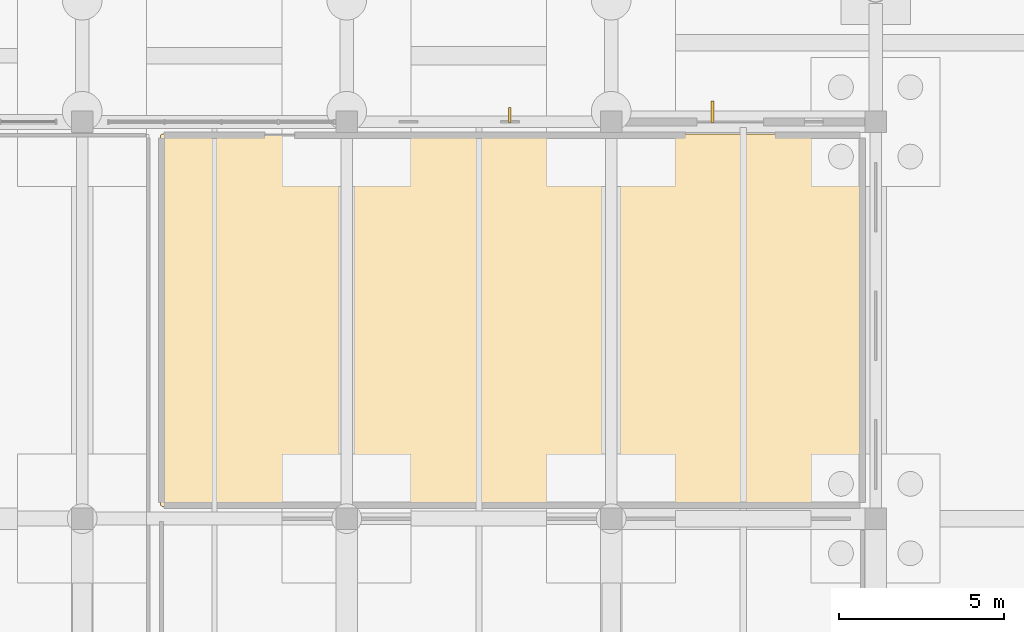
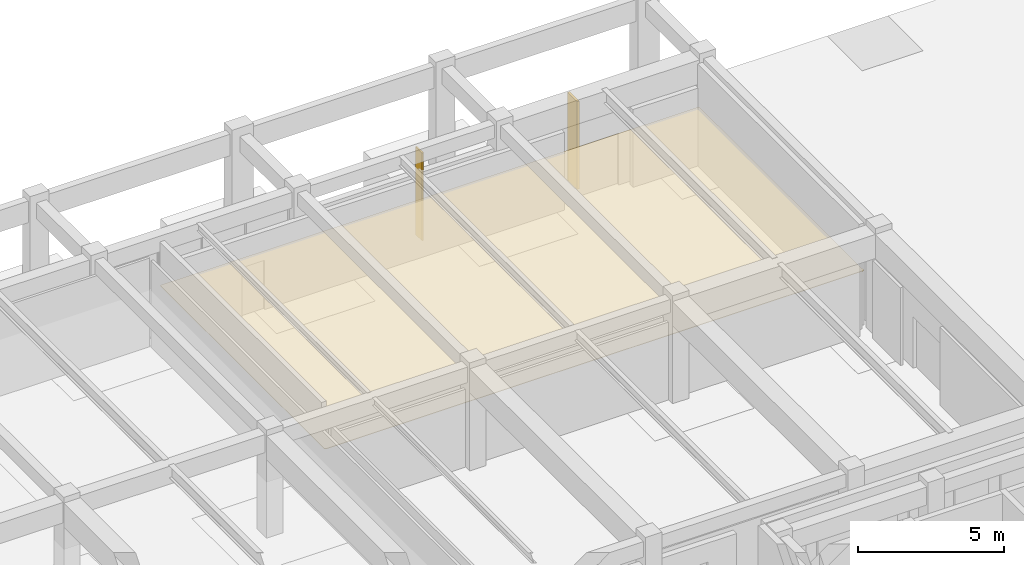
# One storey, part 76 of 84: 2 shading devices, 1 covering.
"""IFC4 building model written with IfcOpenShell, lengths in metres."""

import ifcopenshell
import ifcopenshell.guid

model = None  # the IFC model being written
_history = None  # IfcOwnerHistory: only IFC2X3 demands one
_inside = {}  # id of a spatial element -> (the spatial element, [elements in it])
_under = {}  # id of a project, library or spatial element -> (it, [spatial elements below it])
_declared = {}  # id of a project -> (the project, [libraries it declares])
_typed = {}  # id of a type object -> (the type object, [elements of that type])
_made_of = {}  # id of a material, layer set ... -> (it, [elements and type objects made of it])


def new_model(schema):
    """Start an empty IFC model of exactly this schema.

    Asked for "IFC4X3", IfcOpenShell would pick the latest addendum, in which some entities
    have other attributes; the version numbers below select the first issue.
    IFC2X3 requires an IfcOwnerHistory on every rooted entity: one is made here for all.
    """
    global model, _history
    if schema == "IFC4X3":
        model = ifcopenshell.file(schema_version=(4, 3, 0, 0))
    else:
        model = ifcopenshell.file(schema=schema)
    _inside.clear()
    _under.clear()
    _declared.clear()
    _typed.clear()
    _made_of.clear()
    _history = None
    if model.schema == "IFC2X3":
        org = make("IfcOrganization", Name="unknown")
        user = make(
            "IfcPersonAndOrganization",
            ThePerson=make("IfcPerson", FamilyName="unknown"),
            TheOrganization=org,
        )
        app = make(
            "IfcApplication",
            ApplicationDeveloper=org,
            Version="unknown",
            ApplicationFullName="unknown",
            ApplicationIdentifier="unknown",
        )
        _history = make(
            "IfcOwnerHistory",
            OwningUser=user,
            OwningApplication=app,
            ChangeAction="ADDED",
            CreationDate=0,
        )
    return model


def make(cls, **values):
    """One entity of the class cls with the attributes given. An attribute that is None is left unset."""
    return model.create_entity(
        cls, **{name: value for name, value in values.items() if value is not None}
    )


def rooted(cls, **values):
    """An entity with a GlobalId (a new one), such as an element, a storey or a relation."""
    return make(cls, GlobalId=ifcopenshell.guid.new(), OwnerHistory=_history, **values)


def si_unit(unit_type, name, prefix=None):
    """IfcSIUnit, for example si_unit("LENGTHUNIT", "METRE", prefix="MILLI")."""
    return make("IfcSIUnit", UnitType=unit_type, Prefix=prefix, Name=name)


def assignment(units):
    """IfcUnitAssignment: the units of a project."""
    return None if units is None else make("IfcUnitAssignment", Units=units)


def point(xyz):
    """IfcCartesianPoint."""
    return None if xyz is None else make("IfcCartesianPoint", Coordinates=xyz)


def direction(xyz):
    """IfcDirection."""
    return None if xyz is None else make("IfcDirection", DirectionRatios=xyz)


def frame(location, z_axis=None, x_axis=None):
    """IfcAxis2Placement3D, a coordinate frame: its origin and axes. An axis left out is left unset."""
    return make(
        "IfcAxis2Placement3D",
        Location=point(location),
        Axis=direction(z_axis),
        RefDirection=direction(x_axis),
    )


def frame_2d(location, x_axis=None):
    """IfcAxis2Placement2D, a coordinate frame in the plane: its origin and x axis."""
    return make(
        "IfcAxis2Placement2D", Location=point(location), RefDirection=direction(x_axis)
    )


def origin():
    """The frame at (0, 0, 0) with its axes left unset."""
    return frame((0.0, 0.0, 0.0))


def origin_2d():
    """The frame at (0, 0) in the plane with its x axis left unset."""
    return frame_2d((0.0, 0.0))


def place(relative_to, where):
    """IfcLocalPlacement: puts the frame where relative to a parent placement (None: the world)."""
    return make(
        "IfcLocalPlacement", PlacementRelTo=relative_to, RelativePlacement=where
    )


def context(
    kind, dimensions, precision=None, world=None, true_north=None, identifier=None
):
    """IfcGeometricRepresentationContext, for example the 3D "Model" context."""
    return make(
        "IfcGeometricRepresentationContext",
        ContextIdentifier=identifier,
        ContextType=kind,
        CoordinateSpaceDimension=dimensions,
        Precision=precision,
        WorldCoordinateSystem=world,
        TrueNorth=true_north,
    )


def subcontext(parent, identifier, kind, view, scale=None):
    """IfcGeometricRepresentationSubContext, for example "Body" below "Model"."""
    return make(
        "IfcGeometricRepresentationSubContext",
        ContextIdentifier=identifier,
        ContextType=kind,
        ParentContext=parent,
        TargetScale=scale,
        TargetView=view,
    )


def project(units=None, contexts=None):
    """IfcProject with its units and contexts."""
    return rooted(
        "IfcProject",
        Name="project",
        RepresentationContexts=contexts,
        UnitsInContext=assignment(units),
    )


def spatial(cls, under=None, at=None, **own):
    """A site, building, storey or space (cls), placed at a placement, below another one or the project."""
    s = rooted(cls, ObjectPlacement=at, **own)
    if under is not None:
        _under.setdefault(under.id(), (under, []))[1].append(s)
    return s


def polyline(points):
    """IfcPolyline through the points."""
    return make("IfcPolyline", Points=[point(p) for p in points])


def profile(cls, at=None, kind="AREA", **sizes):
    """A parametric profile (cls). Its sizes go by their IFC names, for example OverallWidth=200.0."""
    return make(cls, ProfileType=kind, Position=at, **sizes)


def rectangle(**sizes):
    """IfcRectangleProfileDef."""
    return profile("IfcRectangleProfileDef", **sizes)


def outline(outer, holes=None, kind="AREA"):
    """IfcArbitraryClosedProfileDef: a profile drawn as a closed curve; with holes, ...WithVoids."""
    if holes is None:
        return make("IfcArbitraryClosedProfileDef", ProfileType=kind, OuterCurve=outer)
    return make(
        "IfcArbitraryProfileDefWithVoids",
        ProfileType=kind,
        OuterCurve=outer,
        InnerCurves=holes,
    )


def extrude(swept, where, along, depth):
    """IfcExtrudedAreaSolid: the profile swept, set in the frame where, extruded along a direction by depth."""
    return make(
        "IfcExtrudedAreaSolid",
        SweptArea=swept,
        Position=where,
        ExtrudedDirection=direction(along),
        Depth=depth,
    )


def shape(context_of_items, identifier, shape_type, items):
    """IfcShapeRepresentation: the items that make up one representation, for example the "Body"."""
    return make(
        "IfcShapeRepresentation",
        ContextOfItems=context_of_items,
        RepresentationIdentifier=identifier,
        RepresentationType=shape_type,
        Items=items,
    )


def material(Name=None, Category=None):
    """IfcMaterial."""
    return make("IfcMaterial", Name=Name, Category=Category)


def layer(
    of_material, thickness, ventilated=None, Name=None, Category=None, Priority=None
):
    """IfcMaterialLayer: one layer of a wall or slab, of a material (None: an air gap)."""
    return make(
        "IfcMaterialLayer",
        Material=of_material,
        LayerThickness=thickness,
        IsVentilated=ventilated,
        Name=Name,
        Category=Category,
        Priority=Priority,
    )


def layer_set(layers, Name=None):
    """IfcMaterialLayerSet."""
    return make("IfcMaterialLayerSet", MaterialLayers=layers, LayerSetName=Name)


def made_of(thing, what):
    """Note that an element or type object is made of a material, layer set ...; save() writes the relation."""
    if what is not None:
        _made_of.setdefault(what.id(), (what, []))[1].append(thing)
    return thing


def type_object(cls, material=None, **own):
    """A type object (cls), such as IfcWallType, which elements share."""
    return made_of(rooted(cls, **own), material)


def element(
    cls,
    number,
    at=None,
    inside=None,
    cuts=None,
    type_object=None,
    material=None,
    context=None,
    identifier="Body",
    shape_type=None,
    held_by="IfcProductDefinitionShape",
    body=None,
    shapes=None,
    **own,
):
    """One element of the class cls, such as IfcWall. Its Tag is "e" and its number.

    at: its placement. inside: the storey or other place that contains it. cuts: it is an
    opening in that element (IfcRelVoidsElement). A single representation is given by context,
    identifier, shape_type and body (its items); several are given by shapes. held_by: the class
    of the entity that holds the representations. save() writes the other relations.
    """
    e = rooted(cls, Tag="e%d" % number, ObjectPlacement=at, **own)
    if body is not None:
        shapes = [shape(context, identifier, shape_type, body)]
    if shapes is not None:
        e.Representation = make(held_by, Representations=shapes)
    if inside is not None:
        _inside.setdefault(inside.id(), (inside, []))[1].append(e)
    if cuts is not None:
        rooted(
            "IfcRelVoidsElement", RelatingBuildingElement=cuts, RelatedOpeningElement=e
        )
    if type_object is not None:
        _typed.setdefault(type_object.id(), (type_object, []))[1].append(e)
    return made_of(e, material)


def aggregate(whole, parts):
    """IfcRelAggregates: a whole, such as a stair, and the parts it consists of."""
    return rooted("IfcRelAggregates", RelatingObject=whole, RelatedObjects=parts)


def save(model, path):
    """Write the relations noted so far, then the file.

    IfcRelAggregates (storeys below a building ...), IfcRelContainedInSpatialStructure (elements
    in a storey), IfcRelDefinesByType, IfcRelAssociatesMaterial and IfcRelDeclares: one each for
    every whole, place, type object, material and project.
    """
    for whole, parts in _under.values():
        aggregate(whole, parts)
    for where, things in _inside.values():
        rooted(
            "IfcRelContainedInSpatialStructure",
            RelatedElements=things,
            RelatingStructure=where,
        )
    for kind, things in _typed.values():
        rooted("IfcRelDefinesByType", RelatedObjects=things, RelatingType=kind)
    for what, things in _made_of.values():
        rooted("IfcRelAssociatesMaterial", RelatedObjects=things, RelatingMaterial=what)
    for by, libraries in _declared.values():
        rooted("IfcRelDeclares", RelatingContext=by, RelatedDefinitions=libraries)
    model.write(path)


model = new_model("IFC4")

# Units and contexts
model_context = context("Model", 3, precision=1e-05, world=origin(), true_north=direction((0.0, 1.0)))
body_context = subcontext(model_context, "Body", "Model", "MODEL_VIEW")
ifc_project = project(units=[si_unit("LENGTHUNIT", "METRE"), si_unit("AREAUNIT", "SQUARE_METRE"), si_unit("VOLUMEUNIT", "CUBIC_METRE"), si_unit("PLANEANGLEUNIT", "RADIAN"), si_unit("MASSUNIT", "GRAM", prefix="KILO")], contexts=[model_context])

# Site, building, storey
site_placement = place(None, origin())
site = spatial("IfcSite", under=ifc_project, at=site_placement, CompositionType="ELEMENT")
building_placement = place(site_placement, origin())
building = spatial("IfcBuilding", under=site, at=building_placement, Name="Larkveld Mobility Hub", CompositionType="ELEMENT")
storey_placement = place(building_placement, origin())
storey = spatial("IfcBuildingStorey", under=building, at=storey_placement, Name="L00", CompositionType="ELEMENT", Elevation=0.0)

# Covering
ifc_material_1 = material(Name="Perforated mineral-fibre acoustic ceiling", Category="masonry")
ifc_layer_1 = layer(ifc_material_1, 0.02001953125, Name="Perforated mineral-fibre acoustic ceiling", Category="masonry")
ifc_layer_set_1 = layer_set([ifc_layer_1], Name="Perforated mineral-fibre acoustic ceiling")
covering_type = type_object("IfcCoveringType", Name="CV-CLG-020", PredefinedType="CEILING", material=ifc_layer_set_1)
covering_placement = place(storey_placement, frame((0.0, 0.0, 2.330078125)))
element("IfcCovering", 1, at=covering_placement, inside=storey, type_object=covering_type, Name="Bicycle Rental and Helmet Store Acoustic Ceiling 010", PredefinedType="CEILING", context=body_context, shape_type="SweptSolid", body=[
    extrude(outline(polyline([(74.419921875, 110.3701171875), (74.4169921875, 110.3701171875), (74.4140625, 110.37109375), (74.410888671875, 110.37109375), (74.408935546875, 110.3720703125), (74.406005859375, 110.3740234375), (74.403076171875, 110.375), (74.40087890625, 110.376953125), (74.39892578125, 110.37890625), (74.37890625, 110.39892578125), (74.376953125, 110.40087890625), (74.375, 110.403076171875), (74.3740234375, 110.406005859375), (74.3720703125, 110.408935546875), (74.37109375, 110.410888671875), (74.37109375, 110.4140625), (74.3701171875, 110.4169921875), (74.3701171875, 110.419921875), (74.3701171875, 121.580078125), (74.3701171875, 121.5830078125), (74.3701171875, 121.5849609375), (74.37109375, 121.587890625), (74.3720703125, 121.591064453125), (74.373046875, 121.593017578125), (74.3740234375, 121.594970703125), (74.385009765625, 121.613037109375), (74.386962890625, 121.615966796875), (74.388916015625, 121.617919921875), (74.39111328125, 121.6201171875), (74.39306640625, 121.6220703125), (74.39599609375, 121.6240234375), (74.39892578125, 121.625), (74.40087890625, 121.6259765625), (74.404052734375, 121.626953125), (74.406982421875, 121.626953125), (74.410888671875, 121.6279296875), (95.580078125, 121.6298828125), (95.5830078125, 121.6298828125), (95.5849609375, 121.6298828125), (95.587890625, 121.62890625), (95.591064453125, 121.6279296875), (95.593017578125, 121.626953125), (95.594970703125, 121.6259765625), (95.613037109375, 121.614990234375), (95.615966796875, 121.613037109375), (95.617919921875, 121.611083984375), (95.6201171875, 121.60888671875), (95.6220703125, 121.60693359375), (95.6240234375, 121.60400390625), (95.625, 121.60107421875), (95.6259765625, 121.59912109375), (95.626953125, 121.595947265625), (95.626953125, 121.593017578125), (95.6279296875, 121.589111328125), (95.6298828125, 110.419921875), (95.6298828125, 110.4169921875), (95.6298828125, 110.4150390625), (95.62890625, 110.412109375), (95.6279296875, 110.408935546875), (95.626953125, 110.406982421875), (95.6259765625, 110.405029296875), (95.614990234375, 110.386962890625), (95.613037109375, 110.384033203125), (95.611083984375, 110.382080078125), (95.60888671875, 110.3798828125), (95.60693359375, 110.3779296875), (95.60400390625, 110.3759765625), (95.60107421875, 110.375), (95.59912109375, 110.3740234375), (95.595947265625, 110.373046875), (95.593017578125, 110.373046875), (95.589111328125, 110.3720703125), (74.419921875, 110.3701171875)])), origin(), (0.0, 0.0, 1.0), 0.02001953125),
])

# Shading devices
ifc_material_2 = material(Name="Precast concrete C50/60", Category="concrete")
ifc_layer_2 = layer(ifc_material_2, 0.06494140625, Name="Precast concrete C50/60", Category="concrete")
ifc_layer_set_2 = layer_set([ifc_layer_2], Name="Precast concrete C50/60")
shading_device_type_1 = type_object("IfcShadingDeviceType", Name="SHD-JAL-01", PredefinedType="JALOUSIE", material=ifc_layer_set_2)
shading_device_1_placement = place(storey_placement, frame((84.93408203125, 122.205078125, 0.2998046875), z_axis=(0.0, 0.0, 1.0), x_axis=(1.0, 0.0, 0.0)))
element("IfcShadingDevice", 2, at=shading_device_1_placement, inside=storey, type_object=shading_device_type_1, Name="North Facade Sunshade Fin NF-048", PredefinedType="JALOUSIE", context=body_context, shape_type="SweptSolid", body=[
    extrude(rectangle(XDim=0.06494140625, YDim=0.449951171875, at=origin_2d()), origin(), (0.0, 0.0, 1.0), 3.659912109375),
])
ifc_layer_3 = layer(ifc_material_2, 0.0849609375, Name="Precast concrete C50/60", Category="concrete")
ifc_layer_set_3 = layer_set([ifc_layer_3], Name="Precast concrete C50/60")
shading_device_type_2 = type_object("IfcShadingDeviceType", Name="SHD-JAL-03", PredefinedType="JALOUSIE", material=ifc_layer_set_3)
shading_device_2_placement = place(storey_placement, frame((91.06591796875, 122.304931640625, 0.2998046875), z_axis=(0.0, 0.0, 1.0), x_axis=(1.0, 0.0, 0.0)))
element("IfcShadingDevice", 3, at=shading_device_2_placement, inside=storey, type_object=shading_device_type_2, Name="North Facade Sunshade Fin NF-047", PredefinedType="JALOUSIE", context=body_context, shape_type="SweptSolid", body=[
    extrude(rectangle(XDim=0.0849609375, YDim=0.64990234375, at=origin_2d()), origin(), (0.0, 0.0, 1.0), 3.659912109375),
])

save(model, "model.ifc")
